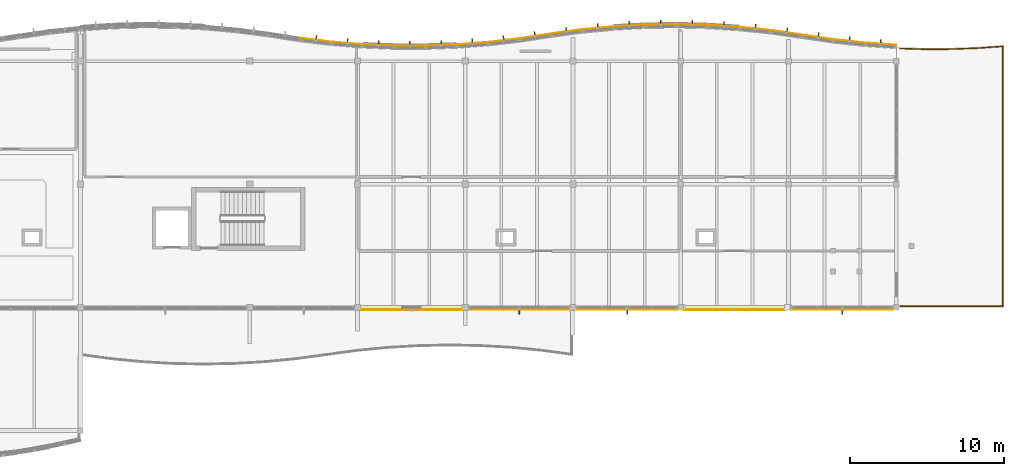
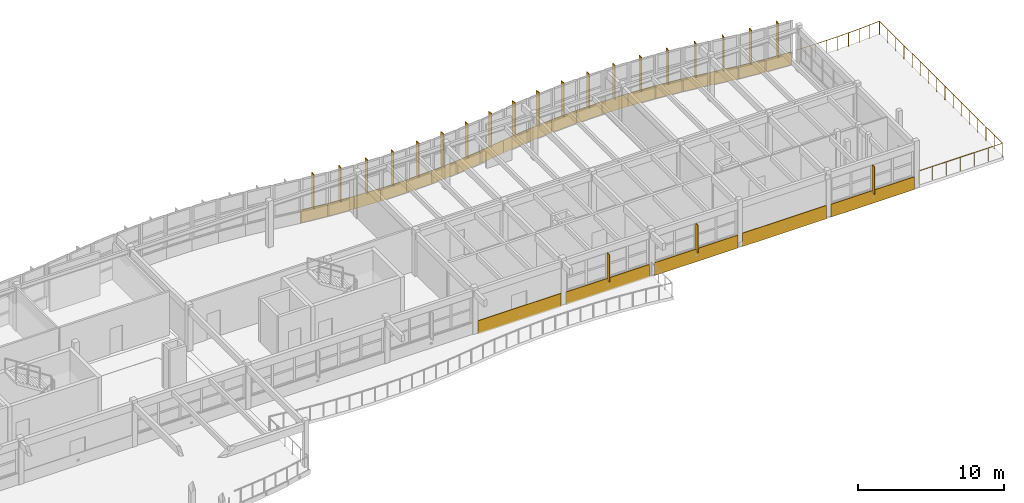
# One storey, part 63 of 63: 24 coverings, 22 shading devices, 1 railing.
"""IFC4 building model written with IfcOpenShell, lengths in metres."""

from ifc_helpers import new_model, si_unit, direction, frame, origin, origin_2d, place, context, subcontext, project, spatial, polyline, rectangle, circle, outline, extrude, material, layer, layer_set, type_object, element, save


model = new_model("IFC4")

# Units and contexts
model_context = context("Model", 3, precision=1e-05, world=origin(), true_north=direction((0.0, 1.0)))
body_context = subcontext(model_context, "Body", "Model", "MODEL_VIEW")
ifc_project = project(units=[si_unit("LENGTHUNIT", "METRE"), si_unit("AREAUNIT", "SQUARE_METRE"), si_unit("VOLUMEUNIT", "CUBIC_METRE"), si_unit("PLANEANGLEUNIT", "RADIAN"), si_unit("MASSUNIT", "GRAM", prefix="KILO")], contexts=[model_context])

# Site, building, storey
site_placement = place(None, origin())
site = spatial("IfcSite", under=ifc_project, at=site_placement, CompositionType="ELEMENT")
building_placement = place(site_placement, origin())
building = spatial("IfcBuilding", under=site, at=building_placement, Name="Tonlespit Floodbar School", CompositionType="ELEMENT")
storey_placement = place(building_placement, frame((0.0, 0.0, 8.39990234375)))
storey = spatial("IfcBuildingStorey", under=building, at=storey_placement, Name="L02", CompositionType="ELEMENT", Elevation=8.39990234375)

# Railing
ifc_material_1 = material(Name="Galvanised Steel", Category="steel")
railing_type = type_object("IfcRailingType", Name="Balustrade_Ext_1150", PredefinedType="BALUSTRADE", material=ifc_material_1)
railing_placement = place(storey_placement, frame((169.24462890625, 120.822998046875, 0.0)))
element("IfcRailing", 1, at=railing_placement, inside=storey, type_object=railing_type, Name="L02 terrace balustrade 013", PredefinedType="BALUSTRADE", context=body_context, shape_type="SweptSolid", body=[
    extrude(circle(Radius=0.02392578125, at=origin_2d()), frame((0.0, 0.0, 1.1259765625), z_axis=(0.999508743408, -0.031341216487, 0.0), x_axis=(0.031341216487, 0.999508743408, 0.0)), (0.0, 0.0, 1.0), 1.50341796875),
    extrude(circle(Radius=0.02392578125, at=origin_2d()), frame((1.502685546875, -0.047119140625, 1.1259765625), z_axis=(0.999996856706, 0.002507305115, 0.0), x_axis=(-0.002507305115, 0.999996856706, 0.0)), (0.0, 0.0, 1.0), 1.752685546875),
    extrude(circle(Radius=0.02392578125, at=origin_2d()), frame((3.25537109375, -0.042724609375, 1.1259765625), z_axis=(0.999349843474, 0.036053992124, 0.0), x_axis=(-0.036053992124, 0.999349843474, 0.0)), (0.0, 0.0, 1.0), 1.75390625),
    extrude(circle(Radius=0.02392578125, at=origin_2d()), frame((5.008056640625, 0.0205078125, 1.1259765625), z_axis=(0.997568017696, 0.069699713555, 0.0), x_axis=(-0.069699713555, 0.997568017696, 0.0)), (0.0, 0.0, 1.0), 1.6708984375),
    extrude(circle(Radius=0.02392578125, at=origin_2d()), frame((6.6748046875, 0.136962890625, 1.1259765625), z_axis=(2.8927652e-05, -0.999999999582, 0.0), x_axis=(0.999999999582, 2.8927652e-05, 0.0)), (0.0, 0.0, 1.0), 16.87939453125),
    extrude(circle(Radius=0.02392578125, at=origin_2d()), frame((6.67529296875, -16.742431640625, 1.1259765625), z_axis=(-0.999999999328, -3.66663e-05, 0.0), x_axis=(3.66663e-05, -0.999999999328, 0.0)), (0.0, 0.0, 1.0), 6.658447265625),
    extrude(circle(Radius=0.02099609375, at=origin_2d()), origin(), (0.0, 0.0, 1.0), 1.101806640625),
    extrude(circle(Radius=0.02099609375, at=origin_2d()), frame((0.75146484375, -0.0234375, 0.0)), (0.0, 0.0, 1.0), 1.101806640625),
    extrude(circle(Radius=0.02099609375, at=origin_2d()), frame((1.502685546875, -0.047119140625, 0.0)), (0.0, 0.0, 1.0), 1.101806640625),
    extrude(circle(Radius=0.02099609375, at=origin_2d()), frame((2.37890625, -0.044921875, 0.0)), (0.0, 0.0, 1.0), 1.101806640625),
    extrude(circle(Radius=0.02099609375, at=origin_2d()), frame((3.25537109375, -0.042724609375, 0.0)), (0.0, 0.0, 1.0), 1.101806640625),
    extrude(circle(Radius=0.02099609375, at=origin_2d()), frame((4.1318359375, -0.01123046875, 0.0)), (0.0, 0.0, 1.0), 1.101806640625),
    extrude(circle(Radius=0.02099609375, at=origin_2d()), frame((5.008056640625, 0.0205078125, 0.0)), (0.0, 0.0, 1.0), 1.101806640625),
    extrude(circle(Radius=0.02099609375, at=origin_2d()), frame((5.84130859375, 0.07861328125, 0.0)), (0.0, 0.0, 1.0), 1.101806640625),
    extrude(circle(Radius=0.02099609375, at=origin_2d()), frame((6.6748046875, 0.136962890625, 0.0)), (0.0, 0.0, 1.0), 1.101806640625),
    extrude(circle(Radius=0.02099609375, at=origin_2d()), frame((6.6748046875, -0.98828125, 0.0)), (0.0, 0.0, 1.0), 1.101806640625),
    extrude(circle(Radius=0.02099609375, at=origin_2d()), frame((6.6748046875, -2.113525390625, 0.0)), (0.0, 0.0, 1.0), 1.101806640625),
    extrude(circle(Radius=0.02099609375, at=origin_2d()), frame((6.6748046875, -3.239013671875, 0.0)), (0.0, 0.0, 1.0), 1.101806640625),
    extrude(circle(Radius=0.02099609375, at=origin_2d()), frame((6.675048828125, -4.3642578125, 0.0)), (0.0, 0.0, 1.0), 1.101806640625),
    extrude(circle(Radius=0.02099609375, at=origin_2d()), frame((6.675048828125, -5.489501953125, 0.0)), (0.0, 0.0, 1.0), 1.101806640625),
    extrude(circle(Radius=0.02099609375, at=origin_2d()), frame((6.675048828125, -6.61474609375, 0.0)), (0.0, 0.0, 1.0), 1.101806640625),
    extrude(circle(Radius=0.02099609375, at=origin_2d()), frame((6.675048828125, -7.739990234375, 0.0)), (0.0, 0.0, 1.0), 1.101806640625),
    extrude(circle(Radius=0.02099609375, at=origin_2d()), frame((6.675048828125, -8.865478515625, 0.0)), (0.0, 0.0, 1.0), 1.101806640625),
    extrude(circle(Radius=0.02099609375, at=origin_2d()), frame((6.675048828125, -9.99072265625, 0.0)), (0.0, 0.0, 1.0), 1.101806640625),
    extrude(circle(Radius=0.02099609375, at=origin_2d()), frame((6.675048828125, -11.115966796875, 0.0)), (0.0, 0.0, 1.0), 1.101806640625),
    extrude(circle(Radius=0.02099609375, at=origin_2d()), frame((6.675048828125, -12.2412109375, 0.0)), (0.0, 0.0, 1.0), 1.101806640625),
    extrude(circle(Radius=0.02099609375, at=origin_2d()), frame((6.67529296875, -13.366455078125, 0.0)), (0.0, 0.0, 1.0), 1.101806640625),
    extrude(circle(Radius=0.02099609375, at=origin_2d()), frame((6.67529296875, -14.491943359375, 0.0)), (0.0, 0.0, 1.0), 1.101806640625),
    extrude(circle(Radius=0.02099609375, at=origin_2d()), frame((6.67529296875, -15.6171875, 0.0)), (0.0, 0.0, 1.0), 1.101806640625),
    extrude(circle(Radius=0.02099609375, at=origin_2d()), frame((6.67529296875, -16.742431640625, 0.0)), (0.0, 0.0, 1.0), 1.101806640625),
    extrude(circle(Radius=0.02099609375, at=origin_2d()), frame((5.5654296875, -16.742431640625, 0.0)), (0.0, 0.0, 1.0), 1.101806640625),
    extrude(circle(Radius=0.02099609375, at=origin_2d()), frame((4.455810546875, -16.742431640625, 0.0)), (0.0, 0.0, 1.0), 1.101806640625),
    extrude(circle(Radius=0.02099609375, at=origin_2d()), frame((3.34619140625, -16.74267578125, 0.0)), (0.0, 0.0, 1.0), 1.101806640625),
    extrude(circle(Radius=0.02099609375, at=origin_2d()), frame((2.236328125, -16.74267578125, 0.0)), (0.0, 0.0, 1.0), 1.101806640625),
    extrude(circle(Radius=0.02099609375, at=origin_2d()), frame((1.12646484375, -16.74267578125, 0.0)), (0.0, 0.0, 1.0), 1.101806640625),
    extrude(circle(Radius=0.02099609375, at=origin_2d()), frame((0.016845703125, -16.74267578125, 0.0)), (0.0, 0.0, 1.0), 1.101806640625),
])

# Coverings
ifc_material_2 = material(Name="White Architectural Aluminium", Category="aluminium")
ifc_layer_1 = layer(ifc_material_2, 0.050048828125)
ifc_layer_set_1 = layer_set([ifc_layer_1], Name="White Architectural Aluminium")
covering_type = type_object("IfcCoveringType", Name="Cladding_WhiteBand_50", PredefinedType="CLADDING", material=ifc_layer_set_1)
covering_1_placement = place(storey_placement, frame((0.0, 0.0, -0.119873046875)))
element("IfcCovering", 2, at=covering_1_placement, inside=storey, type_object=covering_type, Name="L02 curved white spandrel cladding 0671", PredefinedType="CLADDING", context=body_context, shape_type="SweptSolid", body=[
    extrude(outline(polyline([(130.281005859375, 121.455078125), (132.319580078125, 121.209716796875), (132.32568359375, 121.259521484375), (130.287109375, 121.504638671875), (130.281005859375, 121.455078125)])), origin(), (0.0, 0.0, 1.0), 1.070068359375),
])
covering_2_placement = place(storey_placement, frame((0.0, 0.0, -0.119873046875)))
element("IfcCovering", 3, at=covering_2_placement, inside=storey, type_object=covering_type, Name="L02 curved white spandrel cladding 0672", PredefinedType="CLADDING", context=body_context, shape_type="SweptSolid", body=[
    extrude(outline(polyline([(132.315673828125, 121.210205078125), (134.354248046875, 121.0458984375), (134.358154296875, 121.095703125), (132.319580078125, 121.260009765625), (132.315673828125, 121.210205078125)])), origin(), (0.0, 0.0, 1.0), 1.070068359375),
])
covering_3_placement = place(storey_placement, frame((0.0, 0.0, -0.119873046875)))
element("IfcCovering", 4, at=covering_3_placement, inside=storey, type_object=covering_type, Name="L02 curved white spandrel cladding 0673", PredefinedType="CLADDING", context=body_context, shape_type="SweptSolid", body=[
    extrude(outline(polyline([(134.350341796875, 121.046142578125), (136.388671875, 120.96240234375), (136.390869140625, 121.012451171875), (134.352294921875, 121.09619140625), (134.350341796875, 121.046142578125)])), origin(), (0.0, 0.0, 1.0), 1.070068359375),
])
covering_4_placement = place(storey_placement, frame((0.0, 0.0, -0.119873046875)))
element("IfcCovering", 5, at=covering_4_placement, inside=storey, type_object=covering_type, Name="L02 curved white spandrel cladding 0674", PredefinedType="CLADDING", context=body_context, shape_type="SweptSolid", body=[
    extrude(outline(polyline([(136.384765625, 120.96240234375), (138.42333984375, 120.958740234375), (138.42333984375, 121.0087890625), (136.385009765625, 121.012451171875), (136.384765625, 120.96240234375)])), origin(), (0.0, 0.0, 1.0), 1.070068359375),
])
covering_5_placement = place(storey_placement, frame((0.0, 0.0, -0.119873046875)))
element("IfcCovering", 6, at=covering_5_placement, inside=storey, type_object=covering_type, Name="L02 curved white spandrel cladding 0675", PredefinedType="CLADDING", context=body_context, shape_type="SweptSolid", body=[
    extrude(outline(polyline([(138.41943359375, 120.958740234375), (140.457763671875, 121.034912109375), (140.455810546875, 121.0849609375), (138.41748046875, 121.0087890625), (138.41943359375, 120.958740234375)])), origin(), (0.0, 0.0, 1.0), 1.070068359375),
])
covering_6_placement = place(storey_placement, frame((0.0, 0.0, -0.119873046875)))
element("IfcCovering", 7, at=covering_6_placement, inside=storey, type_object=covering_type, Name="L02 curved white spandrel cladding 0676", PredefinedType="CLADDING", context=body_context, shape_type="SweptSolid", body=[
    extrude(outline(polyline([(140.453857421875, 121.03466796875), (142.4921875, 121.191162109375), (142.488525390625, 121.2412109375), (140.449951171875, 121.084716796875), (140.453857421875, 121.03466796875)])), origin(), (0.0, 0.0, 1.0), 1.070068359375),
])
covering_7_placement = place(storey_placement, frame((0.0, 0.0, -0.119873046875)))
element("IfcCovering", 8, at=covering_7_placement, inside=storey, type_object=covering_type, Name="L02 curved white spandrel cladding 0677", PredefinedType="CLADDING", context=body_context, shape_type="SweptSolid", body=[
    extrude(outline(polyline([(142.48828125, 121.19091796875), (144.52685546875, 121.428466796875), (144.52099609375, 121.47802734375), (142.482666015625, 121.240478515625), (142.48828125, 121.19091796875)])), origin(), (0.0, 0.0, 1.0), 1.070068359375),
])
covering_8_placement = place(storey_placement, frame((0.0, 0.0, -0.119873046875)))
element("IfcCovering", 9, at=covering_8_placement, inside=storey, type_object=covering_type, Name="L02 curved white spandrel cladding 0678", PredefinedType="CLADDING", context=body_context, shape_type="SweptSolid", body=[
    extrude(outline(polyline([(144.523193359375, 121.427978515625), (146.561767578125, 121.7412109375), (146.55419921875, 121.79052734375), (144.515625, 121.477294921875), (144.523193359375, 121.427978515625)])), origin(), (0.0, 0.0, 1.0), 1.070068359375),
])
covering_9_placement = place(storey_placement, frame((0.0, 0.0, -0.119873046875)))
element("IfcCovering", 10, at=covering_9_placement, inside=storey, type_object=covering_type, Name="L02 curved white spandrel cladding 0679", PredefinedType="CLADDING", context=body_context, shape_type="SweptSolid", body=[
    extrude(outline(polyline([(146.563720703125, 121.741455078125), (148.60205078125, 122.014404296875), (148.595458984375, 122.064208984375), (146.556884765625, 121.791015625), (146.563720703125, 121.741455078125)])), origin(), (0.0, 0.0, 1.0), 1.070068359375),
])
covering_10_placement = place(storey_placement, frame((0.0, 0.0, -0.119873046875)))
element("IfcCovering", 11, at=covering_10_placement, inside=storey, type_object=covering_type, Name="L02 curved white spandrel cladding 0680", PredefinedType="CLADDING", context=body_context, shape_type="SweptSolid", body=[
    extrude(outline(polyline([(148.60595703125, 122.014892578125), (150.644287109375, 122.20654296875), (150.6396484375, 122.25634765625), (148.601318359375, 122.064697265625), (148.60595703125, 122.014892578125)])), origin(), (0.0, 0.0, 1.0), 1.070068359375),
])
covering_11_placement = place(storey_placement, frame((0.0, 0.0, -0.119873046875)))
element("IfcCovering", 12, at=covering_11_placement, inside=storey, type_object=covering_type, Name="L02 curved white spandrel cladding 0681", PredefinedType="CLADDING", context=body_context, shape_type="SweptSolid", body=[
    extrude(outline(polyline([(150.6484375, 122.206787109375), (152.68701171875, 122.31787109375), (152.68408203125, 122.367919921875), (150.645751953125, 122.2568359375), (150.6484375, 122.206787109375)])), origin(), (0.0, 0.0, 1.0), 1.070068359375),
])
covering_12_placement = place(storey_placement, frame((0.0, 0.0, -0.119873046875)))
element("IfcCovering", 13, at=covering_12_placement, inside=storey, type_object=covering_type, Name="L02 curved white spandrel cladding 0682", PredefinedType="CLADDING", context=body_context, shape_type="SweptSolid", body=[
    extrude(outline(polyline([(152.69091796875, 122.318115234375), (154.729248046875, 122.348876953125), (154.728515625, 122.39892578125), (152.68994140625, 122.367919921875), (152.69091796875, 122.318115234375)])), origin(), (0.0, 0.0, 1.0), 1.070068359375),
])
covering_13_placement = place(storey_placement, frame((0.0, 0.0, -0.119873046875)))
element("IfcCovering", 14, at=covering_13_placement, inside=storey, type_object=covering_type, Name="L02 curved white spandrel cladding 0683", PredefinedType="CLADDING", context=body_context, shape_type="SweptSolid", body=[
    extrude(outline(polyline([(154.733154296875, 122.348876953125), (156.771484375, 122.2998046875), (156.772705078125, 122.349853515625), (154.734375, 122.39892578125), (154.733154296875, 122.348876953125)])), origin(), (0.0, 0.0, 1.0), 1.070068359375),
])
covering_14_placement = place(storey_placement, frame((0.0, 0.0, -0.119873046875)))
element("IfcCovering", 15, at=covering_14_placement, inside=storey, type_object=covering_type, Name="L02 curved white spandrel cladding 0684", PredefinedType="CLADDING", context=body_context, shape_type="SweptSolid", body=[
    extrude(outline(polyline([(156.775390625, 122.2998046875), (158.81396484375, 122.17041015625), (158.817138671875, 122.220458984375), (156.77880859375, 122.349609375), (156.775390625, 122.2998046875)])), origin(), (0.0, 0.0, 1.0), 1.070068359375),
])
covering_15_placement = place(storey_placement, frame((0.0, 0.0, -0.119873046875)))
element("IfcCovering", 16, at=covering_15_placement, inside=storey, type_object=covering_type, Name="L02 curved white spandrel cladding 0685", PredefinedType="CLADDING", context=body_context, shape_type="SweptSolid", body=[
    extrude(outline(polyline([(158.81787109375, 122.170166015625), (160.8564453125, 121.960205078125), (160.861572265625, 122.010009765625), (158.822998046875, 122.219970703125), (158.81787109375, 122.170166015625)])), origin(), (0.0, 0.0, 1.0), 1.070068359375),
])
covering_16_placement = place(storey_placement, frame((0.0, 0.0, -0.119873046875)))
element("IfcCovering", 17, at=covering_16_placement, inside=storey, type_object=covering_type, Name="L02 curved white spandrel cladding 0686", PredefinedType="CLADDING", context=body_context, shape_type="SweptSolid", body=[
    extrude(outline(polyline([(160.8603515625, 121.959716796875), (162.898681640625, 121.66796875), (162.906005859375, 121.717529296875), (160.867431640625, 122.00927734375), (160.8603515625, 121.959716796875)])), origin(), (0.0, 0.0, 1.0), 1.070068359375),
])
covering_17_placement = place(storey_placement, frame((0.0, 0.0, -0.119873046875)))
element("IfcCovering", 18, at=covering_17_placement, inside=storey, type_object=covering_type, Name="L02 curved white spandrel cladding 0687", PredefinedType="CLADDING", context=body_context, shape_type="SweptSolid", body=[
    extrude(outline(polyline([(162.899169921875, 121.66796875), (164.937744140625, 121.3671875), (164.945068359375, 121.41650390625), (162.906494140625, 121.71728515625), (162.899169921875, 121.66796875)])), origin(), (0.0, 0.0, 1.0), 1.070068359375),
])
covering_18_placement = place(storey_placement, frame((0.0, 0.0, -0.119873046875)))
element("IfcCovering", 19, at=covering_18_placement, inside=storey, type_object=covering_type, Name="L02 curved white spandrel cladding 0688", PredefinedType="CLADDING", context=body_context, shape_type="SweptSolid", body=[
    extrude(outline(polyline([(164.933837890625, 121.36767578125), (166.97216796875, 121.1484375), (166.9775390625, 121.197998046875), (164.939208984375, 121.417236328125), (164.933837890625, 121.36767578125)])), origin(), (0.0, 0.0, 1.0), 1.070068359375),
])
covering_19_placement = place(storey_placement, frame((0.0, 0.0, -0.119873046875)))
element("IfcCovering", 20, at=covering_19_placement, inside=storey, type_object=covering_type, Name="L02 curved white spandrel cladding 0689", PredefinedType="CLADDING", context=body_context, shape_type="SweptSolid", body=[
    extrude(outline(polyline([(166.96826171875, 121.148681640625), (169.0068359375, 121.010498046875), (169.01025390625, 121.060302734375), (166.9716796875, 121.19873046875), (166.96826171875, 121.148681640625)])), origin(), (0.0, 0.0, 1.0), 1.070068359375),
])
covering_20_placement = place(storey_placement, frame((0.0, 0.0, -0.119873046875)))
element("IfcCovering", 21, at=covering_20_placement, inside=storey, type_object=covering_type, Name="L02 curved white spandrel cladding 0690", PredefinedType="CLADDING", context=body_context, shape_type="SweptSolid", body=[
    extrude(outline(polyline([(168.820068359375, 103.89990234375), (162.179931640625, 103.89990234375), (162.179931640625, 103.85009765625), (168.820068359375, 103.85009765625), (168.820068359375, 103.89990234375)])), origin(), (0.0, 0.0, 1.0), 1.070068359375),
])
covering_21_placement = place(storey_placement, frame((0.0, 0.0, -0.119873046875)))
element("IfcCovering", 22, at=covering_21_placement, inside=storey, type_object=covering_type, Name="L02 curved white spandrel cladding 0691", PredefinedType="CLADDING", context=body_context, shape_type="SweptSolid", body=[
    extrude(outline(polyline([(161.820068359375, 103.8798828125), (155.179931640625, 103.8798828125), (155.179931640625, 103.830078125), (161.820068359375, 103.830078125), (161.820068359375, 103.8798828125)])), origin(), (0.0, 0.0, 1.0), 1.119873046875),
])
covering_22_placement = place(storey_placement, frame((0.0, 0.0, -0.119873046875)))
element("IfcCovering", 23, at=covering_22_placement, inside=storey, type_object=covering_type, Name="L02 curved white spandrel cladding 0692", PredefinedType="CLADDING", context=body_context, shape_type="SweptSolid", body=[
    extrude(outline(polyline([(154.820068359375, 103.89990234375), (148.199951171875, 103.89990234375), (148.199951171875, 103.85009765625), (154.820068359375, 103.85009765625), (154.820068359375, 103.89990234375)])), origin(), (0.0, 0.0, 1.0), 1.070068359375),
])
covering_23_placement = place(storey_placement, frame((0.0, 0.0, -0.119873046875)))
element("IfcCovering", 24, at=covering_23_placement, inside=storey, type_object=covering_type, Name="L02 curved white spandrel cladding 0693", PredefinedType="CLADDING", context=body_context, shape_type="SweptSolid", body=[
    extrude(outline(polyline([(147.800048828125, 103.89990234375), (141.199951171875, 103.89990234375), (141.199951171875, 103.85009765625), (147.800048828125, 103.85009765625), (147.800048828125, 103.89990234375)])), origin(), (0.0, 0.0, 1.0), 1.070068359375),
])
covering_24_placement = place(storey_placement, frame((0.0, 0.0, -0.119873046875)))
element("IfcCovering", 25, at=covering_24_placement, inside=storey, type_object=covering_type, Name="L02 curved white spandrel cladding 0694", PredefinedType="CLADDING", context=body_context, shape_type="SweptSolid", body=[
    extrude(outline(polyline([(140.800048828125, 103.8798828125), (134.199951171875, 103.8798828125), (134.199951171875, 103.830078125), (140.800048828125, 103.830078125), (140.800048828125, 103.8798828125)])), origin(), (0.0, 0.0, 1.0), 1.119873046875),
])

# Shading devices
ifc_material_3 = material(Name="Terracotta Anodised Aluminium", Category="masonry")
ifc_layer_2 = layer(ifc_material_3, 0.06005859375)
ifc_layer_set_2 = layer_set([ifc_layer_2], Name="Terracotta Anodised Aluminium")
shading_device_type = type_object("IfcShadingDeviceType", Name="Shading_SolarFin_350", PredefinedType="USERDEFINED", material=ifc_layer_set_2)
for number, where, z_axis, x_axis, name in (
    (26, (131.319580078125, 121.4912109375, 0.800048828125), (0.0, 0.0, 1.0), (0.992837635444, -0.119471459546, 0.0), "L02 vertical solar fin 274"),
    (27, (133.347900390625, 121.28759765625, 0.800048828125), (0.0, 0.0, 1.0), (0.996771595728, -0.08028938878, 0.0), "L02 vertical solar fin 275"),
    (28, (135.376220703125, 121.164306640625, 0.800048828125), (0.0, 0.0, 1.0), (0.999156056334, -0.041075236957, 0.0), "L02 vertical solar fin 276"),
    (29, (137.404296875, 121.12060546875, 0.800048828125), (0.0, 0.0, 1.0), (0.999998352629, -0.001815141425, 0.0), "L02 vertical solar fin 277"),
    (30, (139.4326171875, 121.15673828125, 0.800048828125), (0.0, 0.0, 1.0), (0.999302046635, 0.037355315444, 0.0), "L02 vertical solar fin 278"),
    (31, (141.460693359375, 121.2724609375, 0.800048828125), (0.0, 0.0, 1.0), (0.99706599344, 0.076546748634, 0.0), "L02 vertical solar fin 279"),
    (32, (143.489013671875, 121.468505859375, 0.800048828125), (0.0, 0.0, 1.0), (0.993275723379, 0.115772783271, 0.0), "L02 vertical solar fin 280"),
    (33, (145.518310546875, 121.74267578125, 0.800048828125), (0.0, 0.0, 1.0), (0.988400772292, 0.151868078712, 0.0), "L02 vertical solar fin 281"),
    (34, (147.5615234375, 122.03662109375, 0.800048828125), (0.0, 0.0, 1.0), (0.991144996376, 0.132784020724, 0.0), "L02 vertical solar fin 282"),
    (35, (149.6103515625, 122.27001953125, 0.800048828125), (0.0, 0.0, 1.0), (0.995611429803, 0.093583550078, 0.0), "L02 vertical solar fin 283"),
    (36, (151.658935546875, 122.422119140625, 0.800048828125), (0.0, 0.0, 1.0), (0.998520770666, 0.0543715969, 0.0), "L02 vertical solar fin 284"),
    (37, (153.70751953125, 122.493408203125, 0.800048828125), (0.0, 0.0, 1.0), (0.999885143374, 0.015155858947, 0.0), "L02 vertical solar fin 285"),
    (38, (155.756103515625, 122.484375, 0.800048828125), (0.0, 0.0, 1.0), (0.999711216939, -0.024030870297, 0.0), "L02 vertical solar fin 286"),
    (39, (157.804931640625, 122.394775390625, 0.800048828125), (0.0, 0.0, 1.0), (0.9979974699, -0.063253854221, 0.0), "L02 vertical solar fin 287"),
    (40, (159.853515625, 122.224365234375, 0.800048828125), (0.0, 0.0, 1.0), (0.994735597828, -0.102474828191, 0.0), "L02 vertical solar fin 288"),
    (41, (161.902099609375, 121.97216796875, 0.800048828125), (0.0, 0.0, 1.0), (0.989915408665, -0.141659746177, 0.0), "L02 vertical solar fin 289"),
    (42, (163.94189453125, 121.67578125, 0.800048828125), (0.0, 0.0, 1.0), (0.989287625318, -0.145979431405, 0.0), "L02 vertical solar fin 290"),
    (43, (165.97021484375, 121.4169921875, 0.800048828125), (0.0, 0.0, 1.0), (0.994267808285, -0.106918311842, 0.0), "L02 vertical solar fin 291"),
    (44, (167.998291015625, 121.2392578125, 0.800048828125), (0.0, 0.0, 1.0), (0.997706542434, -0.067687924949, 0.0), "L02 vertical solar fin 292"),
):
    element("IfcShadingDevice", number, at=place(storey_placement, frame(where, z_axis=z_axis, x_axis=x_axis)), inside=storey, type_object=shading_device_type, Name=name, ObjectType="SOLAR FIN", PredefinedType="USERDEFINED", context=body_context, shape_type="SweptSolid", body=[
        extrude(rectangle(XDim=0.06005859375, YDim=0.35009765625, at=origin_2d()), origin(), (0.0, 0.0, 1.0), 2.85009765625),
    ])
shading_device_placement = place(storey_placement, frame((165.5, 103.739990234375, 0.800048828125), z_axis=(0.0, 0.0, 1.0), x_axis=(-1.0, 0.0, 0.0)))
element("IfcShadingDevice", 45, at=shading_device_placement, inside=storey, type_object=shading_device_type, Name="L02 vertical solar fin 293", ObjectType="SOLAR FIN", PredefinedType="USERDEFINED", context=body_context, shape_type="SweptSolid", body=[
    extrude(rectangle(XDim=0.06005859375, YDim=0.35009765625, at=origin_2d()), origin(), (0.0, 0.0, 1.0), 2.2880859375),
])
for number, where, z_axis, x_axis, name in (
    (46, (151.510009765625, 103.739990234375, 0.80029296875), (0.0, 0.0, 1.0), (-1.0, 0.0, 0.0), "L02 vertical solar fin 294"),
    (47, (144.5, 103.739990234375, 0.80029296875), (0.0, 0.0, 1.0), (-1.0, 0.0, 0.0), "L02 vertical solar fin 295"),
):
    element("IfcShadingDevice", number, at=place(storey_placement, frame(where, z_axis=z_axis, x_axis=x_axis)), inside=storey, type_object=shading_device_type, Name=name, ObjectType="SOLAR FIN", PredefinedType="USERDEFINED", context=body_context, shape_type="SweptSolid", body=[
        extrude(rectangle(XDim=0.06005859375, YDim=0.35009765625, at=origin_2d()), origin(), (0.0, 0.0, 1.0), 2.284912109375),
    ])

save(model, "model.ifc")
